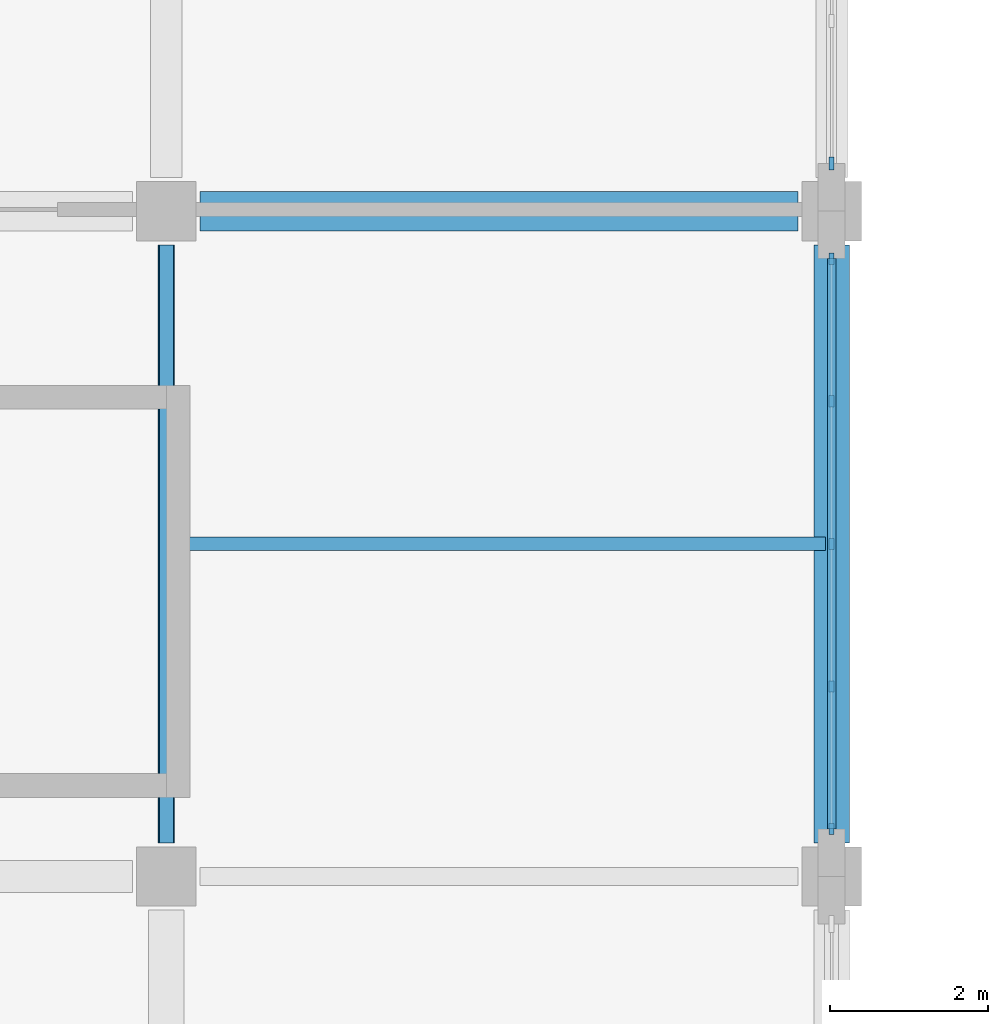
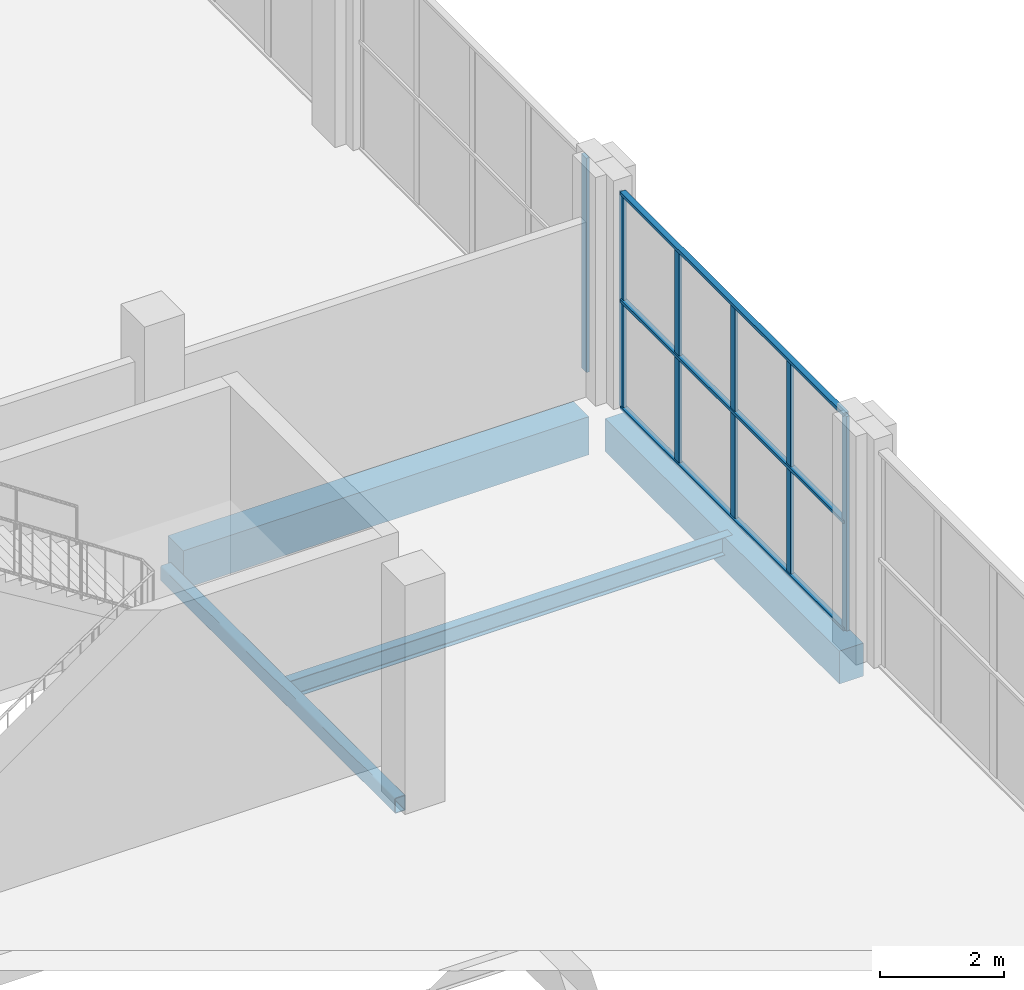
# One storey, part 21 of 75: 9 members, 4 beams, 2 elements without a shape of their own.
"""IFC4 building model written with IfcOpenShell, lengths in metres."""

import ifcopenshell
import ifcopenshell.guid

model = None  # the IFC model being written
_history = None  # IfcOwnerHistory: only IFC2X3 demands one
_inside = {}  # id of a spatial element -> (the spatial element, [elements in it])
_under = {}  # id of a project, library or spatial element -> (it, [spatial elements below it])
_declared = {}  # id of a project -> (the project, [libraries it declares])
_typed = {}  # id of a type object -> (the type object, [elements of that type])
_made_of = {}  # id of a material, layer set ... -> (it, [elements and type objects made of it])


def new_model(schema):
    """Start an empty IFC model of exactly this schema.

    Asked for "IFC4X3", IfcOpenShell would pick the latest addendum, in which some entities
    have other attributes; the version numbers below select the first issue.
    IFC2X3 requires an IfcOwnerHistory on every rooted entity: one is made here for all.
    """
    global model, _history
    if schema == "IFC4X3":
        model = ifcopenshell.file(schema_version=(4, 3, 0, 0))
    else:
        model = ifcopenshell.file(schema=schema)
    _inside.clear()
    _under.clear()
    _declared.clear()
    _typed.clear()
    _made_of.clear()
    _history = None
    if model.schema == "IFC2X3":
        org = make("IfcOrganization", Name="unknown")
        user = make(
            "IfcPersonAndOrganization",
            ThePerson=make("IfcPerson", FamilyName="unknown"),
            TheOrganization=org,
        )
        app = make(
            "IfcApplication",
            ApplicationDeveloper=org,
            Version="unknown",
            ApplicationFullName="unknown",
            ApplicationIdentifier="unknown",
        )
        _history = make(
            "IfcOwnerHistory",
            OwningUser=user,
            OwningApplication=app,
            ChangeAction="ADDED",
            CreationDate=0,
        )
    return model


def make(cls, **values):
    """One entity of the class cls with the attributes given. An attribute that is None is left unset."""
    return model.create_entity(
        cls, **{name: value for name, value in values.items() if value is not None}
    )


def rooted(cls, **values):
    """An entity with a GlobalId (a new one), such as an element, a storey or a relation."""
    return make(cls, GlobalId=ifcopenshell.guid.new(), OwnerHistory=_history, **values)


def si_unit(unit_type, name, prefix=None):
    """IfcSIUnit, for example si_unit("LENGTHUNIT", "METRE", prefix="MILLI")."""
    return make("IfcSIUnit", UnitType=unit_type, Prefix=prefix, Name=name)


def derived_unit(unit_type, elements):
    """IfcDerivedUnit: a product of units, each with its exponent."""
    return make(
        "IfcDerivedUnit",
        Elements=[
            make("IfcDerivedUnitElement", Unit=unit, Exponent=power)
            for unit, power in elements
        ],
        UnitType=unit_type,
    )


def assignment(units):
    """IfcUnitAssignment: the units of a project."""
    return None if units is None else make("IfcUnitAssignment", Units=units)


def point(xyz):
    """IfcCartesianPoint."""
    return None if xyz is None else make("IfcCartesianPoint", Coordinates=xyz)


def direction(xyz):
    """IfcDirection."""
    return None if xyz is None else make("IfcDirection", DirectionRatios=xyz)


def frame(location, z_axis=None, x_axis=None):
    """IfcAxis2Placement3D, a coordinate frame: its origin and axes. An axis left out is left unset."""
    return make(
        "IfcAxis2Placement3D",
        Location=point(location),
        Axis=direction(z_axis),
        RefDirection=direction(x_axis),
    )


def frame_2d(location, x_axis=None):
    """IfcAxis2Placement2D, a coordinate frame in the plane: its origin and x axis."""
    return make(
        "IfcAxis2Placement2D", Location=point(location), RefDirection=direction(x_axis)
    )


def origin():
    """The frame at (0, 0, 0) with its axes left unset."""
    return frame((0.0, 0.0, 0.0))


def origin_2d():
    """The frame at (0, 0) in the plane with its x axis left unset."""
    return frame_2d((0.0, 0.0))


def place(relative_to, where):
    """IfcLocalPlacement: puts the frame where relative to a parent placement (None: the world)."""
    return make(
        "IfcLocalPlacement", PlacementRelTo=relative_to, RelativePlacement=where
    )


def context(
    kind, dimensions, precision=None, world=None, true_north=None, identifier=None
):
    """IfcGeometricRepresentationContext, for example the 3D "Model" context."""
    return make(
        "IfcGeometricRepresentationContext",
        ContextIdentifier=identifier,
        ContextType=kind,
        CoordinateSpaceDimension=dimensions,
        Precision=precision,
        WorldCoordinateSystem=world,
        TrueNorth=true_north,
    )


def subcontext(parent, identifier, kind, view, scale=None):
    """IfcGeometricRepresentationSubContext, for example "Body" below "Model"."""
    return make(
        "IfcGeometricRepresentationSubContext",
        ContextIdentifier=identifier,
        ContextType=kind,
        ParentContext=parent,
        TargetScale=scale,
        TargetView=view,
    )


def project(units=None, contexts=None):
    """IfcProject with its units and contexts."""
    return rooted(
        "IfcProject",
        Name="project",
        RepresentationContexts=contexts,
        UnitsInContext=assignment(units),
    )


def spatial(cls, under=None, at=None, **own):
    """A site, building, storey or space (cls), placed at a placement, below another one or the project."""
    s = rooted(cls, ObjectPlacement=at, **own)
    if under is not None:
        _under.setdefault(under.id(), (under, []))[1].append(s)
    return s


def profile(cls, at=None, kind="AREA", **sizes):
    """A parametric profile (cls). Its sizes go by their IFC names, for example OverallWidth=200.0."""
    return make(cls, ProfileType=kind, Position=at, **sizes)


def rectangle(**sizes):
    """IfcRectangleProfileDef."""
    return profile("IfcRectangleProfileDef", **sizes)


def hollow_rectangle(**sizes):
    """IfcRectangleHollowProfileDef."""
    return profile("IfcRectangleHollowProfileDef", **sizes)


def i_section(**sizes):
    """IfcIShapeProfileDef."""
    return profile("IfcIShapeProfileDef", **sizes)


def extrude(swept, where, along, depth):
    """IfcExtrudedAreaSolid: the profile swept, set in the frame where, extruded along a direction by depth."""
    return make(
        "IfcExtrudedAreaSolid",
        SweptArea=swept,
        Position=where,
        ExtrudedDirection=direction(along),
        Depth=depth,
    )


def shape(context_of_items, identifier, shape_type, items):
    """IfcShapeRepresentation: the items that make up one representation, for example the "Body"."""
    return make(
        "IfcShapeRepresentation",
        ContextOfItems=context_of_items,
        RepresentationIdentifier=identifier,
        RepresentationType=shape_type,
        Items=items,
    )


def material(Name=None, Category=None):
    """IfcMaterial."""
    return make("IfcMaterial", Name=Name, Category=Category)


def material_profile(
    of_material, cross_section, Name=None, Category=None, Priority=None
):
    """IfcMaterialProfile: a cross section and its material."""
    return make(
        "IfcMaterialProfile",
        Name=Name,
        Material=of_material,
        Profile=cross_section,
        Priority=Priority,
        Category=Category,
    )


def profile_set(profiles, Name=None, composite=None):
    """IfcMaterialProfileSet."""
    return make(
        "IfcMaterialProfileSet",
        Name=Name,
        MaterialProfiles=profiles,
        CompositeProfile=composite,
    )


def made_of(thing, what):
    """Note that an element or type object is made of a material, layer set ...; save() writes the relation."""
    if what is not None:
        _made_of.setdefault(what.id(), (what, []))[1].append(thing)
    return thing


def type_object(cls, material=None, **own):
    """A type object (cls), such as IfcWallType, which elements share."""
    return made_of(rooted(cls, **own), material)


def element(
    cls,
    number,
    at=None,
    inside=None,
    cuts=None,
    type_object=None,
    material=None,
    context=None,
    identifier="Body",
    shape_type=None,
    held_by="IfcProductDefinitionShape",
    body=None,
    shapes=None,
    **own,
):
    """One element of the class cls, such as IfcWall. Its Tag is "e" and its number.

    at: its placement. inside: the storey or other place that contains it. cuts: it is an
    opening in that element (IfcRelVoidsElement). A single representation is given by context,
    identifier, shape_type and body (its items); several are given by shapes. held_by: the class
    of the entity that holds the representations. save() writes the other relations.
    """
    e = rooted(cls, Tag="e%d" % number, ObjectPlacement=at, **own)
    if body is not None:
        shapes = [shape(context, identifier, shape_type, body)]
    if shapes is not None:
        e.Representation = make(held_by, Representations=shapes)
    if inside is not None:
        _inside.setdefault(inside.id(), (inside, []))[1].append(e)
    if cuts is not None:
        rooted(
            "IfcRelVoidsElement", RelatingBuildingElement=cuts, RelatedOpeningElement=e
        )
    if type_object is not None:
        _typed.setdefault(type_object.id(), (type_object, []))[1].append(e)
    return made_of(e, material)


def aggregate(whole, parts):
    """IfcRelAggregates: a whole, such as a stair, and the parts it consists of."""
    return rooted("IfcRelAggregates", RelatingObject=whole, RelatedObjects=parts)


def save(model, path):
    """Write the relations noted so far, then the file.

    IfcRelAggregates (storeys below a building ...), IfcRelContainedInSpatialStructure (elements
    in a storey), IfcRelDefinesByType, IfcRelAssociatesMaterial and IfcRelDeclares: one each for
    every whole, place, type object, material and project.
    """
    for whole, parts in _under.values():
        aggregate(whole, parts)
    for where, things in _inside.values():
        rooted(
            "IfcRelContainedInSpatialStructure",
            RelatedElements=things,
            RelatingStructure=where,
        )
    for kind, things in _typed.values():
        rooted("IfcRelDefinesByType", RelatedObjects=things, RelatingType=kind)
    for what, things in _made_of.values():
        rooted("IfcRelAssociatesMaterial", RelatedObjects=things, RelatingMaterial=what)
    for by, libraries in _declared.values():
        rooted("IfcRelDeclares", RelatingContext=by, RelatedDefinitions=libraries)
    model.write(path)


model = new_model("IFC4")

# Units and contexts
model_context = context("Model", 3, precision=1e-05, world=origin(), true_north=direction((0.0, 1.0)))
body_context = subcontext(model_context, "Body", "Model", "MODEL_VIEW")
ifc_project = project(units=[si_unit("LENGTHUNIT", "METRE"), si_unit("AREAUNIT", "SQUARE_METRE"), si_unit("VOLUMEUNIT", "CUBIC_METRE"), si_unit("PLANEANGLEUNIT", "RADIAN"), si_unit("MASSUNIT", "GRAM", prefix="KILO"), derived_unit("THERMALTRANSMITTANCEUNIT", [(si_unit("POWERUNIT", "WATT"), 1), (si_unit("LENGTHUNIT", "METRE"), -2), (si_unit("THERMODYNAMICTEMPERATUREUNIT", "KELVIN"), -1)])], contexts=[model_context])

# Site, building, storey
site_placement = place(None, origin())
site = spatial("IfcSite", under=ifc_project, at=site_placement, CompositionType="ELEMENT")
building_placement = place(site_placement, origin())
building = spatial("IfcBuilding", under=site, at=building_placement, Name="Barrovel Congress Hotel", CompositionType="ELEMENT")
storey_placement = place(building_placement, frame((0.0, 0.0, 5.39990234375)))
storey = spatial("IfcBuildingStorey", under=building, at=storey_placement, Name="L01", CompositionType="ELEMENT", Elevation=5.39990234375)

# Beams
ifc_material_1 = material(Name="Concrete C40", Category="concrete")
ifc_material_profile_1 = material_profile(ifc_material_1, rectangle(XDim=0.449951171875, YDim=0.64990234375, at=origin_2d()), Name="RC450x650")
ifc_profile_set_1 = profile_set([ifc_material_profile_1], Name="Concrete C40")
beam_type_1 = type_object("IfcBeamType", Name="BM-RC450x650", PredefinedType="BEAM", material=ifc_profile_set_1)
beam_1_placement = place(storey_placement, frame((58.800048828125, 55.02490234375, -0.5849609375), z_axis=(0.0, 1.0, 0.0), x_axis=(-1.0, 0.0, 0.0)))
element("IfcBeam", 1, at=beam_1_placement, inside=storey, type_object=beam_type_1, Name="BMY:L01:58.8:54.6-63.0", PredefinedType="BEAM", context=body_context, shape_type="SweptSolid", body=[
    extrude(rectangle(XDim=0.449951171875, YDim=0.64990234375, at=origin_2d()), origin(), (0.0, 0.0, 1.0), 7.550048828125),
])
ifc_material_profile_2 = material_profile(ifc_material_1, rectangle(XDim=0.5, YDim=0.75, at=origin_2d()), Name="RC500x750")
ifc_profile_set_2 = profile_set([ifc_material_profile_2], Name="Concrete C40")
beam_type_2 = type_object("IfcBeamType", Name="BM-RC500x750", PredefinedType="BEAM", material=ifc_profile_set_2)
beam_2_placement = place(storey_placement, frame((50.824951171875, 63.0, -0.635009765625), z_axis=(1.0, 0.0, 0.0), x_axis=(0.0, 1.0, 0.0)))
element("IfcBeam", 2, at=beam_2_placement, inside=storey, type_object=beam_type_2, Name="BMX:L01:63.0:50.4-58.8", PredefinedType="BEAM", context=body_context, shape_type="SweptSolid", body=[
    extrude(rectangle(XDim=0.5, YDim=0.75, at=origin_2d()), origin(), (0.0, 0.0, 1.0), 7.550048828125),
])

# Curtain wall, members
ifc_material_2 = material(Name="Anodised Aluminium Alloy 6063-T6", Category="aluminium")
curtain_wall_type = type_object("IfcCurtainWallType", Name="CW-ST-7200x3600", PredefinedType="USERDEFINED", material=ifc_material_2)
curtain_wall_1_placement = place(storey_placement, origin())
curtain_wall_1 = element("IfcCurtainWall", 3, at=curtain_wall_1_placement, inside=storey, type_object=curtain_wall_type, Name="CW:L01:CW:54.6", ObjectType="STICK CURTAIN WALL", PredefinedType="USERDEFINED")
ifc_material_profile_3 = material_profile(ifc_material_2, rectangle(XDim=0.06005859375, YDim=0.139892578125, at=origin_2d()), Name="AL-M60x140")
ifc_profile_set_3 = profile_set([ifc_material_profile_3], Name="Anodised Aluminium Alloy 6063-T6")
member_type_1 = type_object("IfcMemberType", Name="CWM-AL-M60x140", PredefinedType="MULLION", material=ifc_profile_set_3)
member_1_placement = place(storey_placement, frame((58.800048828125, 55.199951171875, 0.0), z_axis=(0.0, 0.0, 1.0), x_axis=(1.0, 0.0, 0.0)))
member_1 = element("IfcMember", 4, at=member_1_placement, type_object=member_type_1, Name="CW:L01:CW:54.6:M0", PredefinedType="MULLION", context=body_context, shape_type="SweptSolid", body=[
    extrude(rectangle(XDim=0.06005859375, YDim=0.139892578125, at=origin_2d()), origin(), (0.0, 0.0, 1.0), 4.22021484375),
])
member_2_placement = place(storey_placement, frame((58.800048828125, 57.0, 0.0), z_axis=(0.0, 0.0, 1.0), x_axis=(1.0, 0.0, 0.0)))
member_2 = element("IfcMember", 5, at=member_2_placement, type_object=member_type_1, Name="CW:L01:CW:54.6:M1", PredefinedType="MULLION", context=body_context, shape_type="SweptSolid", body=[
    extrude(rectangle(XDim=0.06005859375, YDim=0.139892578125, at=origin_2d()), origin(), (0.0, 0.0, 1.0), 4.22021484375),
])
member_3_placement = place(storey_placement, frame((58.800048828125, 58.800048828125, 0.0), z_axis=(0.0, 0.0, 1.0), x_axis=(1.0, 0.0, 0.0)))
member_3 = element("IfcMember", 6, at=member_3_placement, type_object=member_type_1, Name="CW:L01:CW:54.6:M2", PredefinedType="MULLION", context=body_context, shape_type="SweptSolid", body=[
    extrude(rectangle(XDim=0.06005859375, YDim=0.139892578125, at=origin_2d()), origin(), (0.0, 0.0, 1.0), 4.22021484375),
])
member_4_placement = place(storey_placement, frame((58.800048828125, 60.60009765625, 0.0), z_axis=(0.0, 0.0, 1.0), x_axis=(1.0, 0.0, 0.0)))
member_4 = element("IfcMember", 7, at=member_4_placement, type_object=member_type_1, Name="CW:L01:CW:54.6:M3", PredefinedType="MULLION", context=body_context, shape_type="SweptSolid", body=[
    extrude(rectangle(XDim=0.06005859375, YDim=0.139892578125, at=origin_2d()), origin(), (0.0, 0.0, 1.0), 4.22021484375),
])
member_5_placement = place(storey_placement, frame((58.800048828125, 62.39990234375, 0.0), z_axis=(0.0, 0.0, 1.0), x_axis=(1.0, 0.0, 0.0)))
member_5 = element("IfcMember", 8, at=member_5_placement, type_object=member_type_1, Name="CW:L01:CW:54.6:M4", PredefinedType="MULLION", context=body_context, shape_type="SweptSolid", body=[
    extrude(rectangle(XDim=0.06005859375, YDim=0.139892578125, at=origin_2d()), origin(), (0.0, 0.0, 1.0), 4.22021484375),
])

# Curtain wall, member
curtain_wall_2_placement = place(storey_placement, origin())
curtain_wall_2 = element("IfcCurtainWall", 9, at=curtain_wall_2_placement, inside=storey, type_object=curtain_wall_type, Name="CW:L01:CW:63.0", ObjectType="STICK CURTAIN WALL", PredefinedType="USERDEFINED")
ifc_material_profile_4 = material_profile(ifc_material_2, rectangle(XDim=0.06005859375, YDim=0.1650390625, at=origin_2d()), Name="AL-M60x165")
ifc_profile_set_4 = profile_set([ifc_material_profile_4], Name="Anodised Aluminium Alloy 6063-T6")
member_type_2 = type_object("IfcMemberType", Name="CWM-AL-M60x165", PredefinedType="MULLION", material=ifc_profile_set_4)
member_6_placement = place(storey_placement, frame((58.800048828125, 63.60009765625, 0.0), z_axis=(0.0, 0.0, 1.0), x_axis=(1.0, 0.0, 0.0)))
member_6 = element("IfcMember", 10, at=member_6_placement, type_object=member_type_2, Name="CW:L01:CW:63.0:M0", PredefinedType="MULLION", context=body_context, shape_type="SweptSolid", body=[
    extrude(rectangle(XDim=0.06005859375, YDim=0.1650390625, at=origin_2d()), origin(), (0.0, 0.0, 1.0), 4.22021484375),
])
aggregate(curtain_wall_2, [member_6])

# Member
ifc_material_profile_5 = material_profile(ifc_material_2, rectangle(XDim=0.10498046875, YDim=0.06005859375, at=origin_2d()), Name="AL-T60x105")
ifc_profile_set_5 = profile_set([ifc_material_profile_5], Name="Anodised Aluminium Alloy 6063-T6")
member_type_3 = type_object("IfcMemberType", Name="CWT-AL-T60x105", PredefinedType="USERDEFINED", material=ifc_profile_set_5)
member_7_placement = place(storey_placement, frame((58.800048828125, 55.199951171875, 0.0), z_axis=(0.0, 1.0, 0.0), x_axis=(-1.0, 0.0, 0.0)))
member_7 = element("IfcMember", 11, at=member_7_placement, type_object=member_type_3, Name="CW:L01:CW:54.6:T0", ObjectType="TRANSOM", PredefinedType="USERDEFINED", context=body_context, shape_type="SweptSolid", body=[
    extrude(rectangle(XDim=0.10498046875, YDim=0.06005859375, at=origin_2d()), origin(), (0.0, 0.0, 1.0), 7.199951171875),
])

member_8_placement = place(storey_placement, frame((58.800048828125, 55.199951171875, 2.110107421875), z_axis=(0.0, 1.0, 0.0), x_axis=(-1.0, 0.0, 0.0)))
member_8 = element("IfcMember", 12, at=member_8_placement, type_object=member_type_3, Name="CW:L01:CW:54.6:T1", ObjectType="TRANSOM", PredefinedType="USERDEFINED", context=body_context, shape_type="SweptSolid", body=[
    extrude(rectangle(XDim=0.10498046875, YDim=0.06005859375, at=origin_2d()), origin(), (0.0, 0.0, 1.0), 7.199951171875),
])

member_9_placement = place(storey_placement, frame((58.800048828125, 55.199951171875, 4.22021484375), z_axis=(0.0, 1.0, 0.0), x_axis=(-1.0, 0.0, 0.0)))
member_9 = element("IfcMember", 13, at=member_9_placement, type_object=member_type_3, Name="CW:L01:CW:54.6:T2", ObjectType="TRANSOM", PredefinedType="USERDEFINED", context=body_context, shape_type="SweptSolid", body=[
    extrude(rectangle(XDim=0.10498046875, YDim=0.06005859375, at=origin_2d()), origin(), (0.0, 0.0, 1.0), 7.199951171875),
])

aggregate(curtain_wall_1, [member_1, member_2, member_3, member_4, member_5, member_7, member_8, member_9])

# Beams
ifc_material_3 = material(Name="Steel ASTM A500 Grade C", Category="steel")
ifc_material_profile_6 = material_profile(ifc_material_3, hollow_rectangle(XDim=0.203125, YDim=0.3046875, WallThickness=0.01171875, InnerFilletRadius=0.01171875, OuterFilletRadius=0.023681640625, at=origin_2d()), Name="HSS305x203x12.7")
ifc_profile_set_6 = profile_set([ifc_material_profile_6], Name="Steel ASTM A500 Grade C")
beam_type_3 = type_object("IfcBeamType", Name="SBM-HSS305x203x12.7", PredefinedType="SPANDREL", material=ifc_profile_set_6)
beam_3_placement = place(storey_placement, frame((50.39990234375, 55.02490234375, -0.412353515625), z_axis=(0.0, 1.0, 0.0), x_axis=(-1.0, 0.0, 0.0)))
element("IfcBeam", 14, at=beam_3_placement, inside=storey, type_object=beam_type_3, Name="BMY:L01:50.4:54.6-63.0", PredefinedType="SPANDREL", context=body_context, shape_type="SweptSolid", body=[
    extrude(hollow_rectangle(XDim=0.203125, YDim=0.3046875, WallThickness=0.01171875, InnerFilletRadius=0.01171875, OuterFilletRadius=0.023681640625, at=origin_2d()), origin(), (0.0, 0.0, 1.0), 7.550048828125),
])
ifc_material_4 = material(Name="Steel ASTM A992 Grade 50", Category="steel")
ifc_material_profile_7 = material_profile(ifc_material_4, i_section(OverallWidth=0.1708984375, OverallDepth=0.35205078125, WebThickness=0.0068359375, FlangeThickness=0.009765625, FilletRadius=0.011962890625, at=origin_2d()), Name="W360x44")
ifc_profile_set_7 = profile_set([ifc_material_profile_7], Name="Steel ASTM A992 Grade 50")
beam_type_4 = type_object("IfcBeamType", Name="SBM-W360x44", PredefinedType="JOIST", material=ifc_profile_set_7)
beam_4_placement = place(storey_placement, frame((50.47998046875, 58.800048828125, -0.435791015625), z_axis=(1.0, 0.0, 0.0), x_axis=(0.0, 1.0, 0.0)))
element("IfcBeam", 15, at=beam_4_placement, inside=storey, type_object=beam_type_4, Name="JST:L01:50.4:58.8", PredefinedType="JOIST", context=body_context, shape_type="SweptSolid", body=[
    extrude(i_section(OverallWidth=0.1708984375, OverallDepth=0.35205078125, WebThickness=0.0068359375, FlangeThickness=0.009765625, FilletRadius=0.011962890625, at=origin_2d()), origin(), (0.0, 0.0, 1.0), 8.239990234375),
])

save(model, "model.ifc")
